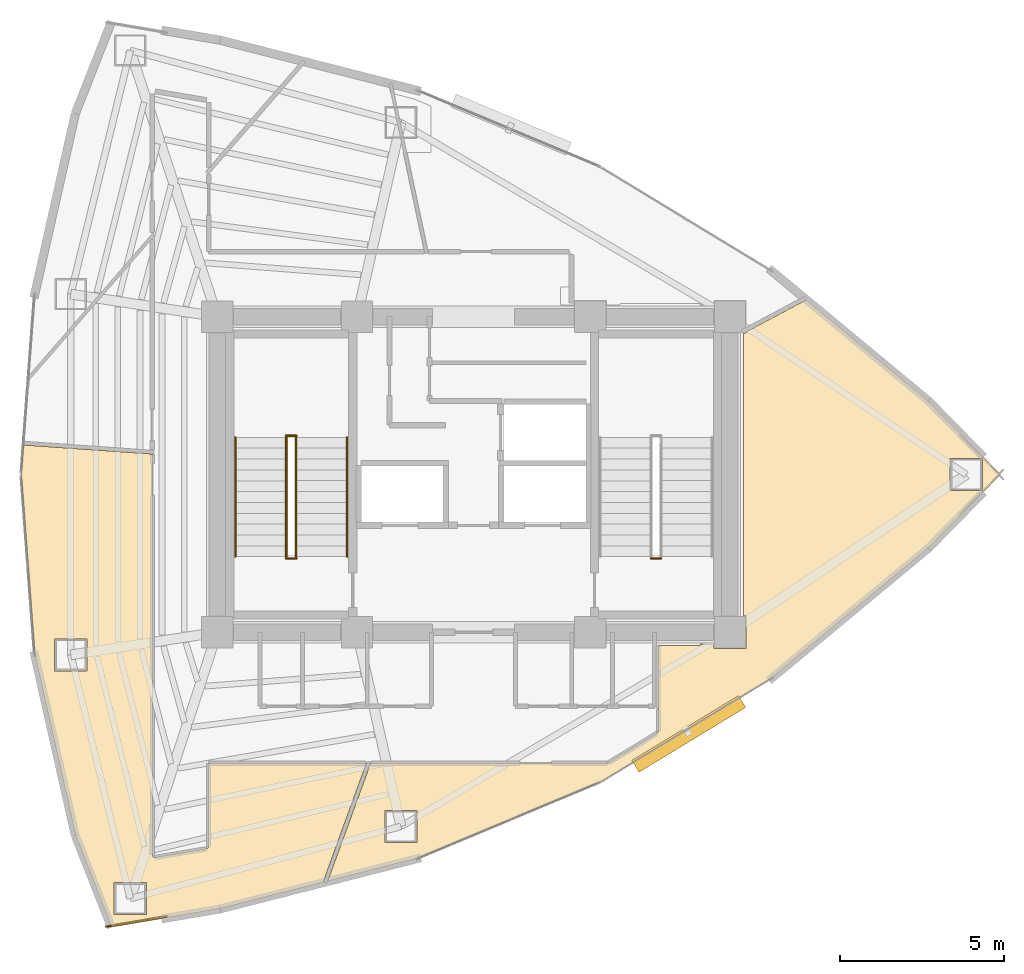
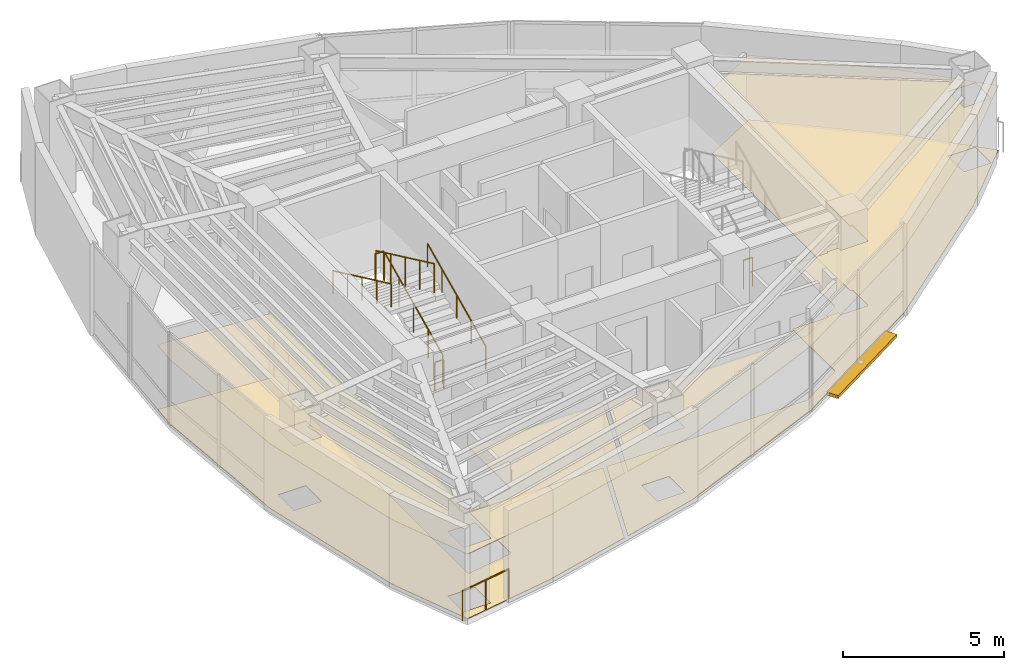
# One storey, part 14 of 15: 8 railings, 4 coverings, 1 shading device.
"""IFC4 building model written with IfcOpenShell, lengths in metres."""

from ifc_helpers import new_model, si_unit, direction, frame, origin, origin_2d, place, context, subcontext, project, spatial, polyline, rectangle, circle, outline, extrude, material, layer, layer_set, type_object, element, save


model = new_model("IFC4")

# Units and contexts
model_context = context("Model", 3, precision=1e-05, world=origin(), true_north=direction((0.0, 1.0)))
body_context = subcontext(model_context, "Body", "Model", "MODEL_VIEW")
ifc_project = project(units=[si_unit("LENGTHUNIT", "METRE"), si_unit("AREAUNIT", "SQUARE_METRE"), si_unit("VOLUMEUNIT", "CUBIC_METRE"), si_unit("PLANEANGLEUNIT", "RADIAN"), si_unit("MASSUNIT", "GRAM", prefix="KILO")], contexts=[model_context])

# Site, building, storey
site_placement = place(None, origin())
site = spatial("IfcSite", under=ifc_project, at=site_placement, CompositionType="ELEMENT")
building_placement = place(site_placement, origin())
building = spatial("IfcBuilding", under=site, at=building_placement, Name="Menara Vayukalpa", CompositionType="ELEMENT")
storey_placement = place(building_placement, frame((0.0, 0.0, 226.97998046875)))
storey = spatial("IfcBuildingStorey", under=building, at=storey_placement, Name="L57", CompositionType="ELEMENT", Elevation=226.97998046875)

# Coverings
ifc_material_1 = material(Name="Mineral Fibre Acoustic Ceiling Tile", Category="masonry")
ifc_layer_1 = layer(ifc_material_1, 0.02490234375)
ifc_layer_set_1 = layer_set([ifc_layer_1], Name="Mineral Fibre Acoustic Ceiling Tile")
covering_type_1 = type_object("IfcCoveringType", Name="COV-CLG1", PredefinedType="CEILING", material=ifc_layer_set_1)
covering_1_placement = place(storey_placement, frame((0.0, 0.0, 2.449951171875)))
element("IfcCovering", 1, at=covering_1_placement, inside=storey, type_object=covering_type_1, Name="L57 Executive Boardroom Acoustic Ceiling", PredefinedType="CEILING", context=body_context, shape_type="SweptSolid", body=[
    extrude(outline(polyline([(14.59326171875, 8.231201171875), (14.59228515625, 8.231201171875), (14.59130859375, 8.2314453125), (14.59033203125, 8.2314453125), (14.58935546875, 8.231689453125), (14.58837890625, 8.232177734375), (14.587646484375, 8.232666015625), (14.5869140625, 8.233154296875), (14.5859375, 8.233642578125), (14.585205078125, 8.234375), (14.584716796875, 8.235107421875), (14.583984375, 8.23583984375), (14.58349609375, 8.23681640625), (14.583251953125, 8.237548828125), (13.489013671875, 11.023681640625), (13.48876953125, 11.0244140625), (13.488525390625, 11.025146484375), (12.25390625, 16.51171875), (12.25390625, 16.51318359375), (11.84228515625, 21.999267578125), (11.84228515625, 22.0), (11.84228515625, 22.000732421875), (11.90869140625, 22.88720703125), (11.908935546875, 22.88818359375), (11.9091796875, 22.88916015625), (11.909423828125, 22.89013671875), (11.909912109375, 22.89111328125), (11.910400390625, 22.891845703125), (11.910888671875, 22.892578125), (11.91162109375, 22.893310546875), (11.912353515625, 22.89404296875), (11.9130859375, 22.894775390625), (11.913818359375, 22.895263671875), (11.914794921875, 22.8955078125), (11.91552734375, 22.89599609375), (11.91650390625, 22.896240234375), (11.91748046875, 22.896484375), (11.91845703125, 22.896484375), (11.91943359375, 22.896484375), (15.82080078125, 22.623779296875), (15.82177734375, 22.62353515625), (15.82275390625, 22.623291015625), (15.823486328125, 22.623046875), (15.824462890625, 22.62255859375), (15.825439453125, 22.6220703125), (15.826171875, 22.62158203125), (15.826904296875, 22.620849609375), (15.82763671875, 22.6201171875), (15.828369140625, 22.619384765625), (15.828857421875, 22.618408203125), (15.8291015625, 22.61767578125), (15.82958984375, 22.61669921875), (15.829833984375, 22.61572265625), (15.829833984375, 22.61474609375), (15.830078125, 22.61376953125), (15.830078125, 10.421142578125), (15.830322265625, 10.414306640625), (15.831298828125, 10.407470703125), (15.8330078125, 10.40087890625), (15.835205078125, 10.39453125), (15.837890625, 10.388427734375), (15.841552734375, 10.382568359375), (15.845458984375, 10.376953125), (15.849853515625, 10.3720703125), (15.854736328125, 10.367431640625), (15.860107421875, 10.36328125), (15.865966796875, 10.35986328125), (15.8720703125, 10.356689453125), (15.87841796875, 10.354248046875), (15.884765625, 10.3525390625), (15.8916015625, 10.351318359375), (15.898193359375, 10.350830078125), (15.905029296875, 10.35107421875), (15.912109375, 10.351806640625), (17.471435546875, 10.61669921875), (17.478515625, 10.6181640625), (17.485107421875, 10.62060546875), (17.49169921875, 10.623291015625), (17.497802734375, 10.626708984375), (17.50341796875, 10.630859375), (17.508544921875, 10.635498046875), (17.513427734375, 10.640625), (17.517822265625, 10.646240234375), (17.521484375, 10.652099609375), (17.5244140625, 10.658447265625), (17.52685546875, 10.664794921875), (17.528564453125, 10.671875), (17.529541015625, 10.6787109375), (17.530029296875, 10.685791015625), (17.530029296875, 13.2099609375), (17.530029296875, 13.2109375), (17.5302734375, 13.2119140625), (17.530517578125, 13.212890625), (17.53076171875, 13.2138671875), (17.53125, 13.214599609375), (17.53173828125, 13.215576171875), (17.5322265625, 13.21630859375), (17.532958984375, 13.217041015625), (17.53369140625, 13.2177734375), (17.534423828125, 13.21826171875), (17.535400390625, 13.21875), (17.5361328125, 13.21923828125), (17.537109375, 13.219482421875), (17.5380859375, 13.2197265625), (17.5390625, 13.219970703125), (17.5400390625, 13.219970703125), (22.326171875, 13.219970703125), (22.3271484375, 13.219970703125), (22.328125, 13.2197265625), (22.3291015625, 13.219482421875), (22.329833984375, 13.21923828125), (22.330810546875, 13.218994140625), (22.33154296875, 13.218505859375), (22.33251953125, 13.2177734375), (22.3330078125, 13.21728515625), (22.333740234375, 13.216552734375), (22.33447265625, 13.2158203125), (22.3349609375, 13.21484375), (22.335205078125, 13.214111328125), (22.335693359375, 13.213134765625), (22.3359375, 13.212158203125), (22.336181640625, 13.211181640625), (22.336181640625, 13.210205078125), (22.336181640625, 13.20947265625), (22.336181640625, 13.20849609375), (22.3359375, 13.20751953125), (22.335693359375, 13.20654296875), (21.025146484375, 9.60595703125), (21.023193359375, 9.60009765625), (21.0224609375, 9.5966796875), (21.022216796875, 9.595703125), (21.02197265625, 9.5947265625), (21.021484375, 9.59375), (21.02099609375, 9.593017578125), (21.020263671875, 9.592041015625), (21.01953125, 9.59130859375), (21.018798828125, 9.5908203125), (21.01806640625, 9.590087890625), (21.01708984375, 9.589599609375), (21.01611328125, 9.589111328125), (21.01513671875, 9.5888671875), (17.8798828125, 8.789306640625), (17.879150390625, 8.7890625), (14.59423828125, 8.2314453125), (14.59326171875, 8.231201171875)]), holes=[polyline([(14.664794921875, 9.58740234375), (14.664794921875, 8.607421875), (15.644775390625, 8.607421875), (15.644775390625, 9.58740234375), (14.664794921875, 9.58740234375)]), polyline([(13.833984375, 17.000732421875), (12.85400390625, 17.000732421875), (12.85400390625, 16.020751953125), (13.833984375, 16.020751953125), (13.833984375, 17.000732421875)])]), origin(), (0.0, 0.0, 1.0), 0.025146484375),
])
covering_2_placement = place(storey_placement, frame((0.0, 0.0, 2.449951171875)))
element("IfcCovering", 2, at=covering_2_placement, inside=storey, type_object=covering_type_1, Name="L57 Executive Boardroom Acoustic Ceiling", PredefinedType="CEILING", context=body_context, shape_type="SweptSolid", body=[
    extrude(outline(polyline([(33.81005859375, 26.29150390625), (33.81005859375, 26.29248046875), (33.810302734375, 26.29345703125), (33.810302734375, 26.294189453125), (33.810791015625, 26.295166015625), (33.811279296875, 26.296142578125), (33.811767578125, 26.297119140625), (33.812255859375, 26.2978515625), (33.81298828125, 26.298583984375), (33.813720703125, 26.299072265625), (33.814453125, 26.2998046875), (33.815185546875, 26.30029296875), (33.833740234375, 26.31005859375), (33.889892578125, 26.31005859375), (33.889892578125, 26.33984375), (35.71435546875, 27.309814453125), (35.71533203125, 27.310302734375), (35.71630859375, 27.310791015625), (35.71728515625, 27.310791015625), (35.71826171875, 27.31103515625), (35.718994140625, 27.31103515625), (35.72021484375, 27.31103515625), (35.72119140625, 27.310791015625), (35.721923828125, 27.310791015625), (35.722900390625, 27.310302734375), (35.723876953125, 27.309814453125), (35.724609375, 27.309326171875), (35.7255859375, 27.308837890625), (39.431884765625, 24.235107421875), (39.4326171875, 24.234375), (41.61962890625, 22.007080078125), (41.620361328125, 22.00634765625), (41.620849609375, 22.005615234375), (41.621337890625, 22.004638671875), (41.621826171875, 22.00390625), (41.6220703125, 22.0029296875), (41.622314453125, 22.001953125), (41.62255859375, 22.0009765625), (41.62255859375, 22.0), (41.62255859375, 21.9990234375), (41.622314453125, 21.998046875), (41.6220703125, 21.9970703125), (41.621826171875, 21.99609375), (41.621337890625, 21.995361328125), (41.620849609375, 21.994384765625), (41.620361328125, 21.99365234375), (41.61962890625, 21.992919921875), (39.4326171875, 19.765625), (39.431884765625, 19.764892578125), (34.662109375, 15.809326171875), (34.660888671875, 15.80859375), (29.47998046875, 12.661376953125), (29.479248046875, 12.660888671875), (29.478515625, 12.66064453125), (23.885986328125, 10.3212890625), (23.884765625, 10.32080078125), (21.178466796875, 9.630615234375), (21.177490234375, 9.63037109375), (21.176513671875, 9.630126953125), (21.17529296875, 9.630126953125), (21.174560546875, 9.63037109375), (21.173583984375, 9.630615234375), (21.172607421875, 9.630859375), (21.171630859375, 9.631103515625), (21.1708984375, 9.631591796875), (21.169921875, 9.632080078125), (21.169189453125, 9.6328125), (21.16845703125, 9.633544921875), (21.16796875, 9.63427734375), (21.167236328125, 9.635009765625), (21.1669921875, 9.635986328125), (21.16650390625, 9.636962890625), (21.166259765625, 9.6376953125), (21.166015625, 9.638916015625), (21.166015625, 9.6396484375), (21.166015625, 9.640625), (21.166015625, 9.6416015625), (21.166259765625, 9.642578125), (21.16650390625, 9.6435546875), (22.4658203125, 13.21337890625), (22.46630859375, 13.21435546875), (22.466796875, 13.215087890625), (22.46728515625, 13.216064453125), (22.468017578125, 13.216796875), (22.46875, 13.217529296875), (22.469482421875, 13.21826171875), (22.47021484375, 13.21875), (22.47119140625, 13.21923828125), (22.47216796875, 13.219482421875), (22.47314453125, 13.2197265625), (22.47412109375, 13.219970703125), (22.47509765625, 13.219970703125), (29.667236328125, 13.219970703125), (29.673828125, 13.22021484375), (29.68017578125, 13.22119140625), (29.686279296875, 13.22265625), (29.6923828125, 13.224609375), (29.6982421875, 13.22705078125), (29.7041015625, 13.230224609375), (31.18603515625, 14.130615234375), (31.1923828125, 14.134765625), (31.19775390625, 14.139404296875), (31.20263671875, 14.14453125), (31.20703125, 14.150146484375), (31.2109375, 14.15625), (31.214111328125, 14.16259765625), (31.216552734375, 14.16943359375), (31.218505859375, 14.176513671875), (31.219482421875, 14.183349609375), (31.219970703125, 14.19091796875), (31.219970703125, 14.849609375), (31.219482421875, 14.856689453125), (31.21875, 14.86376953125), (31.217041015625, 14.870361328125), (31.214599609375, 14.876708984375), (31.2119140625, 14.8828125), (31.211669921875, 14.883056640625), (31.211181640625, 14.8837890625), (31.210693359375, 14.884765625), (31.21044921875, 14.8857421875), (31.210205078125, 14.88671875), (31.2099609375, 14.8876953125), (31.2099609375, 14.888671875), (31.2099609375, 16.780029296875), (31.2099609375, 16.781005859375), (31.210205078125, 16.781982421875), (31.21044921875, 16.782958984375), (31.210693359375, 16.78369140625), (31.211181640625, 16.78466796875), (31.211669921875, 16.78564453125), (31.21240234375, 16.786376953125), (31.212890625, 16.787109375), (31.213623046875, 16.78759765625), (31.21435546875, 16.788330078125), (31.21533203125, 16.788818359375), (31.21630859375, 16.789306640625), (31.217041015625, 16.78955078125), (31.218017578125, 16.789794921875), (31.218994140625, 16.7900390625), (31.219970703125, 16.7900390625), (32.489990234375, 16.7900390625), (32.489990234375, 16.85009765625), (32.909912109375, 16.85009765625), (32.909912109375, 16.7099609375), (33.889892578125, 16.7099609375), (33.889892578125, 17.68994140625), (33.81005859375, 17.68994140625), (33.81005859375, 26.29150390625)]), holes=[polyline([(23.87939453125, 11.781494140625), (22.8994140625, 11.781494140625), (22.8994140625, 10.801513671875), (23.87939453125, 10.801513671875), (23.87939453125, 11.781494140625)]), polyline([(41.08056640625, 22.489990234375), (40.1005859375, 22.489990234375), (40.1005859375, 21.510009765625), (41.08056640625, 21.510009765625), (41.08056640625, 22.489990234375)])]), origin(), (0.0, 0.0, 1.0), 0.025146484375),
])
ifc_material_2 = material(Name="Porcelain Stoneware Floor Tile", Category="masonry")
ifc_layer_2 = layer(ifc_material_2, 0.02001953125)
ifc_layer_set_2 = layer_set([ifc_layer_2], Name="Porcelain Stoneware Floor Tile")
covering_type_2 = type_object("IfcCoveringType", Name="COV-FLR1", PredefinedType="FLOORING", material=ifc_layer_set_2)
covering_3_placement = place(storey_placement, origin())
element("IfcCovering", 3, at=covering_3_placement, inside=storey, type_object=covering_type_2, Name="L57 Executive Boardroom Porcelain Flooring", PredefinedType="FLOORING", context=body_context, shape_type="SweptSolid", body=[
    extrude(outline(polyline([(14.59326171875, 8.231201171875), (14.59228515625, 8.231201171875), (14.59130859375, 8.2314453125), (14.59033203125, 8.2314453125), (14.58935546875, 8.231689453125), (14.58837890625, 8.232177734375), (14.587646484375, 8.232666015625), (14.5869140625, 8.233154296875), (14.5859375, 8.233642578125), (14.585205078125, 8.234375), (14.584716796875, 8.235107421875), (14.583984375, 8.23583984375), (14.58349609375, 8.23681640625), (14.583251953125, 8.237548828125), (13.489013671875, 11.023681640625), (13.48876953125, 11.0244140625), (13.488525390625, 11.025146484375), (12.25390625, 16.51171875), (12.25390625, 16.51318359375), (11.84228515625, 21.999267578125), (11.84228515625, 22.0), (11.84228515625, 22.000732421875), (11.90869140625, 22.88720703125), (11.908935546875, 22.88818359375), (11.9091796875, 22.88916015625), (11.909423828125, 22.89013671875), (11.909912109375, 22.89111328125), (11.910400390625, 22.891845703125), (11.910888671875, 22.892578125), (11.91162109375, 22.893310546875), (11.912353515625, 22.89404296875), (11.9130859375, 22.894775390625), (11.913818359375, 22.895263671875), (11.914794921875, 22.8955078125), (11.91552734375, 22.89599609375), (11.91650390625, 22.896240234375), (11.91748046875, 22.896484375), (11.91845703125, 22.896484375), (11.91943359375, 22.896484375), (15.82080078125, 22.623779296875), (15.82177734375, 22.62353515625), (15.82275390625, 22.623291015625), (15.823486328125, 22.623046875), (15.824462890625, 22.62255859375), (15.825439453125, 22.6220703125), (15.826171875, 22.62158203125), (15.826904296875, 22.620849609375), (15.82763671875, 22.6201171875), (15.828369140625, 22.619384765625), (15.828857421875, 22.618408203125), (15.8291015625, 22.61767578125), (15.82958984375, 22.61669921875), (15.829833984375, 22.61572265625), (15.829833984375, 22.61474609375), (15.830078125, 22.61376953125), (15.830078125, 10.421142578125), (15.830322265625, 10.414306640625), (15.831298828125, 10.407470703125), (15.8330078125, 10.40087890625), (15.835205078125, 10.39453125), (15.837890625, 10.388427734375), (15.841552734375, 10.382568359375), (15.845458984375, 10.376953125), (15.849853515625, 10.3720703125), (15.854736328125, 10.367431640625), (15.860107421875, 10.36328125), (15.865966796875, 10.35986328125), (15.8720703125, 10.356689453125), (15.87841796875, 10.354248046875), (15.884765625, 10.3525390625), (15.8916015625, 10.351318359375), (15.898193359375, 10.350830078125), (15.905029296875, 10.35107421875), (15.912109375, 10.351806640625), (17.471435546875, 10.61669921875), (17.478515625, 10.6181640625), (17.485107421875, 10.62060546875), (17.49169921875, 10.623291015625), (17.497802734375, 10.626708984375), (17.50341796875, 10.630859375), (17.508544921875, 10.635498046875), (17.513427734375, 10.640625), (17.517822265625, 10.646240234375), (17.521484375, 10.652099609375), (17.5244140625, 10.658447265625), (17.52685546875, 10.664794921875), (17.528564453125, 10.671875), (17.529541015625, 10.6787109375), (17.530029296875, 10.685791015625), (17.530029296875, 13.2099609375), (17.530029296875, 13.2109375), (17.5302734375, 13.2119140625), (17.530517578125, 13.212890625), (17.53076171875, 13.2138671875), (17.53125, 13.214599609375), (17.53173828125, 13.215576171875), (17.5322265625, 13.21630859375), (17.532958984375, 13.217041015625), (17.53369140625, 13.2177734375), (17.534423828125, 13.21826171875), (17.535400390625, 13.21875), (17.5361328125, 13.21923828125), (17.537109375, 13.219482421875), (17.5380859375, 13.2197265625), (17.5390625, 13.219970703125), (17.5400390625, 13.219970703125), (22.326171875, 13.219970703125), (22.3271484375, 13.219970703125), (22.328125, 13.2197265625), (22.3291015625, 13.219482421875), (22.329833984375, 13.21923828125), (22.330810546875, 13.218994140625), (22.33154296875, 13.218505859375), (22.33251953125, 13.2177734375), (22.3330078125, 13.21728515625), (22.333740234375, 13.216552734375), (22.33447265625, 13.2158203125), (22.3349609375, 13.21484375), (22.335205078125, 13.214111328125), (22.335693359375, 13.213134765625), (22.3359375, 13.212158203125), (22.336181640625, 13.211181640625), (22.336181640625, 13.210205078125), (22.336181640625, 13.20947265625), (22.336181640625, 13.20849609375), (22.3359375, 13.20751953125), (22.335693359375, 13.20654296875), (21.025146484375, 9.60595703125), (21.023193359375, 9.60009765625), (21.0224609375, 9.5966796875), (21.022216796875, 9.595703125), (21.02197265625, 9.5947265625), (21.021484375, 9.59375), (21.02099609375, 9.593017578125), (21.020263671875, 9.592041015625), (21.01953125, 9.59130859375), (21.018798828125, 9.5908203125), (21.01806640625, 9.590087890625), (21.01708984375, 9.589599609375), (21.01611328125, 9.589111328125), (21.01513671875, 9.5888671875), (17.8798828125, 8.789306640625), (17.879150390625, 8.7890625), (14.59423828125, 8.2314453125), (14.59326171875, 8.231201171875)]), holes=[polyline([(14.664794921875, 9.58740234375), (14.664794921875, 8.607421875), (15.644775390625, 8.607421875), (15.644775390625, 9.58740234375), (14.664794921875, 9.58740234375)]), polyline([(13.833984375, 17.000732421875), (12.85400390625, 17.000732421875), (12.85400390625, 16.020751953125), (13.833984375, 16.020751953125), (13.833984375, 17.000732421875)])]), origin(), (0.0, 0.0, 1.0), 0.02001953125),
])
covering_4_placement = place(storey_placement, origin())
element("IfcCovering", 4, at=covering_4_placement, inside=storey, type_object=covering_type_2, Name="L57 Executive Boardroom Porcelain Flooring", PredefinedType="FLOORING", context=body_context, shape_type="SweptSolid", body=[
    extrude(outline(polyline([(33.81005859375, 26.29150390625), (33.81005859375, 26.29248046875), (33.810302734375, 26.29345703125), (33.810302734375, 26.294189453125), (33.810791015625, 26.295166015625), (33.811279296875, 26.296142578125), (33.811767578125, 26.297119140625), (33.812255859375, 26.2978515625), (33.81298828125, 26.298583984375), (33.813720703125, 26.299072265625), (33.814453125, 26.2998046875), (33.815185546875, 26.30029296875), (33.833740234375, 26.31005859375), (33.889892578125, 26.31005859375), (33.889892578125, 26.33984375), (35.71435546875, 27.309814453125), (35.71533203125, 27.310302734375), (35.71630859375, 27.310791015625), (35.71728515625, 27.310791015625), (35.71826171875, 27.31103515625), (35.718994140625, 27.31103515625), (35.72021484375, 27.31103515625), (35.72119140625, 27.310791015625), (35.721923828125, 27.310791015625), (35.722900390625, 27.310302734375), (35.723876953125, 27.309814453125), (35.724609375, 27.309326171875), (35.7255859375, 27.308837890625), (39.431884765625, 24.235107421875), (39.4326171875, 24.234375), (41.61962890625, 22.007080078125), (41.620361328125, 22.00634765625), (41.620849609375, 22.005615234375), (41.621337890625, 22.004638671875), (41.621826171875, 22.00390625), (41.6220703125, 22.0029296875), (41.622314453125, 22.001953125), (41.62255859375, 22.0009765625), (41.62255859375, 22.0), (41.62255859375, 21.9990234375), (41.622314453125, 21.998046875), (41.6220703125, 21.9970703125), (41.621826171875, 21.99609375), (41.621337890625, 21.995361328125), (41.620849609375, 21.994384765625), (41.620361328125, 21.99365234375), (41.61962890625, 21.992919921875), (39.4326171875, 19.765625), (39.431884765625, 19.764892578125), (34.662109375, 15.809326171875), (34.660888671875, 15.80859375), (29.47998046875, 12.661376953125), (29.479248046875, 12.660888671875), (29.478515625, 12.66064453125), (23.885986328125, 10.3212890625), (23.884765625, 10.32080078125), (21.178466796875, 9.630615234375), (21.177490234375, 9.63037109375), (21.176513671875, 9.630126953125), (21.17529296875, 9.630126953125), (21.174560546875, 9.63037109375), (21.173583984375, 9.630615234375), (21.172607421875, 9.630859375), (21.171630859375, 9.631103515625), (21.1708984375, 9.631591796875), (21.169921875, 9.632080078125), (21.169189453125, 9.6328125), (21.16845703125, 9.633544921875), (21.16796875, 9.63427734375), (21.167236328125, 9.635009765625), (21.1669921875, 9.635986328125), (21.16650390625, 9.636962890625), (21.166259765625, 9.6376953125), (21.166015625, 9.638916015625), (21.166015625, 9.6396484375), (21.166015625, 9.640625), (21.166015625, 9.6416015625), (21.166259765625, 9.642578125), (21.16650390625, 9.6435546875), (22.4658203125, 13.21337890625), (22.46630859375, 13.21435546875), (22.466796875, 13.215087890625), (22.46728515625, 13.216064453125), (22.468017578125, 13.216796875), (22.46875, 13.217529296875), (22.469482421875, 13.21826171875), (22.47021484375, 13.21875), (22.47119140625, 13.21923828125), (22.47216796875, 13.219482421875), (22.47314453125, 13.2197265625), (22.47412109375, 13.219970703125), (22.47509765625, 13.219970703125), (29.667236328125, 13.219970703125), (29.673828125, 13.22021484375), (29.68017578125, 13.22119140625), (29.686279296875, 13.22265625), (29.6923828125, 13.224609375), (29.6982421875, 13.22705078125), (29.7041015625, 13.230224609375), (31.18603515625, 14.130615234375), (31.1923828125, 14.134765625), (31.19775390625, 14.139404296875), (31.20263671875, 14.14453125), (31.20703125, 14.150146484375), (31.2109375, 14.15625), (31.214111328125, 14.16259765625), (31.216552734375, 14.16943359375), (31.218505859375, 14.176513671875), (31.219482421875, 14.183349609375), (31.219970703125, 14.19091796875), (31.219970703125, 14.849609375), (31.219482421875, 14.856689453125), (31.21875, 14.86376953125), (31.217041015625, 14.870361328125), (31.214599609375, 14.876708984375), (31.2119140625, 14.8828125), (31.211669921875, 14.883056640625), (31.211181640625, 14.8837890625), (31.210693359375, 14.884765625), (31.21044921875, 14.8857421875), (31.210205078125, 14.88671875), (31.2099609375, 14.8876953125), (31.2099609375, 14.888671875), (31.2099609375, 16.780029296875), (31.2099609375, 16.781005859375), (31.210205078125, 16.781982421875), (31.21044921875, 16.782958984375), (31.210693359375, 16.78369140625), (31.211181640625, 16.78466796875), (31.211669921875, 16.78564453125), (31.21240234375, 16.786376953125), (31.212890625, 16.787109375), (31.213623046875, 16.78759765625), (31.21435546875, 16.788330078125), (31.21533203125, 16.788818359375), (31.21630859375, 16.789306640625), (31.217041015625, 16.78955078125), (31.218017578125, 16.789794921875), (31.218994140625, 16.7900390625), (31.219970703125, 16.7900390625), (32.489990234375, 16.7900390625), (32.489990234375, 16.85009765625), (32.909912109375, 16.85009765625), (32.909912109375, 16.7099609375), (33.889892578125, 16.7099609375), (33.889892578125, 17.68994140625), (33.81005859375, 17.68994140625), (33.81005859375, 26.29150390625)]), holes=[polyline([(23.87939453125, 11.781494140625), (22.8994140625, 11.781494140625), (22.8994140625, 10.801513671875), (23.87939453125, 10.801513671875), (23.87939453125, 11.781494140625)]), polyline([(41.08056640625, 22.489990234375), (40.1005859375, 22.489990234375), (40.1005859375, 21.510009765625), (41.08056640625, 21.510009765625), (41.08056640625, 22.489990234375)])]), origin(), (0.0, 0.0, 1.0), 0.02001953125),
])

# Railings
ifc_material_3 = material(Name="Laminated Glass and Stainless Steel 316 Guardrail", Category="steel")
railing_type_1 = type_object("IfcRailingType", Name="RLG-EXT115", PredefinedType="GUARDRAIL", material=ifc_material_3)
railing_1_placement = place(storey_placement, frame((14.413818359375, 8.241455078125, 0.0)))
element("IfcRailing", 5, at=railing_1_placement, inside=storey, type_object=railing_type_1, Name="L57 Column Corner Spandrel Guardrail 14-1", PredefinedType="GUARDRAIL", context=body_context, shape_type="SweptSolid", body=[
    extrude(circle(Radius=0.02392578125, at=origin_2d()), frame((0.0, 0.0, 1.1259765625), z_axis=(0.985895107684, 0.167364382844, 0.0), x_axis=(-0.167364382844, 0.985895107684, 0.0)), (0.0, 0.0, 1.0), 1.86865234375),
    extrude(circle(Radius=0.02099609375, at=origin_2d()), origin(), (0.0, 0.0, 1.0), 1.101806640625),
    extrude(circle(Radius=0.02099609375, at=origin_2d()), frame((0.921142578125, 0.15625, 0.0)), (0.0, 0.0, 1.0), 1.101806640625),
    extrude(circle(Radius=0.02099609375, at=origin_2d()), frame((1.84228515625, 0.312744140625, 0.0)), (0.0, 0.0, 1.0), 1.101806640625),
])
ifc_material_4 = material(Name="Powder-Coated Galvanised Steel Guardrail", Category="steel")
railing_type_2 = type_object("IfcRailingType", Name="RLG-STG110", PredefinedType="GUARDRAIL", material=ifc_material_4)
railing_2_placement = place(storey_placement, frame((20.199951171875, 19.5, 0.155029296875)))
element("IfcRailing", 6, at=railing_2_placement, inside=storey, type_object=railing_type_2, Name="L57 ST-1 stair guard 1", PredefinedType="GUARDRAIL", context=body_context, shape_type="SweptSolid", body=[
    extrude(circle(Radius=0.02392578125, at=origin_2d()), frame((0.0, 0.0, 1.09619140625), z_axis=(0.0, 0.90511648382, 0.425163675209), x_axis=(-1.0, 0.0, 0.0)), (0.0, 0.0, 1.0), 4.010498046875),
    extrude(circle(Radius=0.02099609375, at=origin_2d()), origin(), (0.0, 0.0, 1.0), 1.072021484375),
    extrude(circle(Radius=0.02099609375, at=origin_2d()), frame((0.0, 0.907470703125, 0.42626953125)), (0.0, 0.0, 1.0), 1.072021484375),
    extrude(circle(Radius=0.02099609375, at=origin_2d()), frame((0.0, 1.81494140625, 0.8525390625)), (0.0, 0.0, 1.0), 1.072021484375),
    extrude(circle(Radius=0.02099609375, at=origin_2d()), frame((0.0, 2.722412109375, 1.27880859375)), (0.0, 0.0, 1.0), 1.072021484375),
    extrude(circle(Radius=0.02099609375, at=origin_2d()), frame((0.0, 3.6298828125, 1.705078125)), (0.0, 0.0, 1.0), 1.072021484375),
])
railing_3_placement = place(storey_placement, frame((20.2099609375, 23.179931640625, 1.860107421875)))
element("IfcRailing", 7, at=railing_3_placement, inside=storey, type_object=railing_type_2, Name="L57 ST-1 stair guard 2", PredefinedType="GUARDRAIL", context=body_context, shape_type="SweptSolid", body=[
    extrude(circle(Radius=0.02392578125, at=origin_2d()), frame((0.0, 0.0, 1.09619140625), z_axis=(-1.0, 0.0, 0.0), x_axis=(0.0, -1.0, 0.0)), (0.0, 0.0, 1.0), 0.320068359375),
    extrude(circle(Radius=0.02099609375, at=origin_2d()), origin(), (0.0, 0.0, 1.0), 1.072021484375),
    extrude(circle(Radius=0.02099609375, at=origin_2d()), frame((-0.320068359375, 0.0, 0.0)), (0.0, 0.0, 1.0), 1.072021484375),
])
railing_4_placement = place(storey_placement, frame((19.89990234375, 23.1298828125, 2.01513671875)))
element("IfcRailing", 8, at=railing_4_placement, inside=storey, type_object=railing_type_2, Name="L57 ST-1 stair guard 3", PredefinedType="GUARDRAIL", context=body_context, shape_type="SweptSolid", body=[
    extrude(circle(Radius=0.02392578125, at=origin_2d()), frame((0.0, 0.0, 1.09619140625), z_axis=(0.0, -0.90513990983, 0.425113800803), x_axis=(1.0, 0.0, 0.0)), (0.0, 0.0, 1.0), 4.01025390625),
    extrude(circle(Radius=0.02099609375, at=origin_2d()), origin(), (0.0, 0.0, 1.0), 1.072021484375),
    extrude(circle(Radius=0.02099609375, at=origin_2d()), frame((0.0, -0.907470703125, 0.42626953125)), (0.0, 0.0, 1.0), 1.072021484375),
    extrude(circle(Radius=0.02099609375, at=origin_2d()), frame((0.0, -1.81494140625, 0.8525390625)), (0.0, 0.0, 1.0), 1.072021484375),
    extrude(circle(Radius=0.02099609375, at=origin_2d()), frame((0.0, -2.722412109375, 1.278564453125)), (0.0, 0.0, 1.0), 1.072021484375),
    extrude(circle(Radius=0.02099609375, at=origin_2d()), frame((0.0, -3.6298828125, 1.704833984375)), (0.0, 0.0, 1.0), 1.072021484375),
])
for number, where, name in (
    (9, (20.2099609375, 19.449951171875, 0.0), "L57 ST-1 stair guard 4"),
    (10, (31.31005859375, 19.449951171875, 0.0), "L57 ST-2 stair guard 4"),
):
    element("IfcRailing", number, at=place(storey_placement, frame(where)), inside=storey, type_object=railing_type_2, Name=name, PredefinedType="GUARDRAIL", context=body_context, shape_type="SweptSolid", body=[
        extrude(circle(Radius=0.02392578125, at=origin_2d()), frame((0.0, 0.0, 1.09619140625), z_axis=(-1.0, 0.0, 0.0), x_axis=(0.0, -1.0, 0.0)), (0.0, 0.0, 1.0), 0.320068359375),
        extrude(circle(Radius=0.02099609375, at=origin_2d()), origin(), (0.0, 0.0, 1.0), 1.072021484375),
        extrude(circle(Radius=0.02099609375, at=origin_2d()), frame((-0.320068359375, 0.0, 0.0)), (0.0, 0.0, 1.0), 1.072021484375),
    ])
ifc_material_5 = material(Name="Stainless Steel 316 Tubular Handrail", Category="steel")
railing_type_3 = type_object("IfcRailingType", Name="RLG-STH090", PredefinedType="HANDRAIL", material=ifc_material_5)
railing_5_placement = place(storey_placement, frame((21.75, 19.5, 0.155029296875)))
element("IfcRailing", 11, at=railing_5_placement, inside=storey, type_object=railing_type_3, Name="L57 ST-1 stair handrail 1", PredefinedType="HANDRAIL", context=body_context, shape_type="SweptSolid", body=[
    extrude(circle(Radius=0.02392578125, at=origin_2d()), frame((0.0, 0.0, 0.8759765625), z_axis=(0.0, 0.90511648382, 0.425163675209), x_axis=(-1.0, 0.0, 0.0)), (0.0, 0.0, 1.0), 4.010498046875),
    extrude(circle(Radius=0.02099609375, at=origin_2d()), origin(), (0.0, 0.0, 1.0), 0.851806640625),
    extrude(circle(Radius=0.02099609375, at=origin_2d()), frame((0.0, 0.907470703125, 0.42626953125)), (0.0, 0.0, 1.0), 0.851806640625),
    extrude(circle(Radius=0.02099609375, at=origin_2d()), frame((0.0, 1.81494140625, 0.8525390625)), (0.0, 0.0, 1.0), 0.851806640625),
    extrude(circle(Radius=0.02099609375, at=origin_2d()), frame((0.0, 2.722412109375, 1.27880859375)), (0.0, 0.0, 1.0), 0.851806640625),
    extrude(circle(Radius=0.02099609375, at=origin_2d()), frame((0.0, 3.6298828125, 1.705078125)), (0.0, 0.0, 1.0), 0.851806640625),
])
railing_6_placement = place(storey_placement, frame((18.35009765625, 23.1298828125, 2.01513671875)))
element("IfcRailing", 12, at=railing_6_placement, inside=storey, type_object=railing_type_3, Name="L57 ST-1 stair handrail 2", PredefinedType="HANDRAIL", context=body_context, shape_type="SweptSolid", body=[
    extrude(circle(Radius=0.02392578125, at=origin_2d()), frame((0.0, 0.0, 0.8759765625), z_axis=(0.0, -0.90513990983, 0.425113800803), x_axis=(1.0, 0.0, 0.0)), (0.0, 0.0, 1.0), 4.01025390625),
    extrude(circle(Radius=0.02099609375, at=origin_2d()), origin(), (0.0, 0.0, 1.0), 0.851806640625),
    extrude(circle(Radius=0.02099609375, at=origin_2d()), frame((0.0, -0.907470703125, 0.42626953125)), (0.0, 0.0, 1.0), 0.851806640625),
    extrude(circle(Radius=0.02099609375, at=origin_2d()), frame((0.0, -1.81494140625, 0.8525390625)), (0.0, 0.0, 1.0), 0.851806640625),
    extrude(circle(Radius=0.02099609375, at=origin_2d()), frame((0.0, -2.722412109375, 1.278564453125)), (0.0, 0.0, 1.0), 0.851806640625),
    extrude(circle(Radius=0.02099609375, at=origin_2d()), frame((0.0, -3.6298828125, 1.704833984375)), (0.0, 0.0, 1.0), 0.851806640625),
])

# Shading device
ifc_material_6 = material(Name="Glazed Terracotta Ceramic Baguette Extrusion", Category="masonry")
ifc_layer_3 = layer(ifc_material_6, 0.1201171875)
ifc_layer_set_3 = layer_set([ifc_layer_3], Name="Glazed Terracotta Ceramic Baguette Extrusion")
shading_device_type = type_object("IfcShadingDeviceType", Name="SHD-SS1", PredefinedType="USERDEFINED", material=ifc_layer_set_3)
shading_device_placement = place(storey_placement, frame((32.148193359375, 14.106689453125, -0.10009765625), z_axis=(0.0, 0.0, 1.0), x_axis=(0.85466730962, 0.519176068272, 0.0)))
element("IfcShadingDevice", 13, at=shading_device_placement, inside=storey, type_object=shading_device_type, Name="L57 Horizontal Terracotta Sunshade Band 17", ObjectType="SUNSHADE", PredefinedType="USERDEFINED", context=body_context, shape_type="SweptSolid", body=[
    extrude(rectangle(XDim=3.800048828125, YDim=0.419921875, at=origin_2d()), origin(), (0.0, 0.0, 1.0), 0.1201171875),
])

save(model, "model.ifc")
